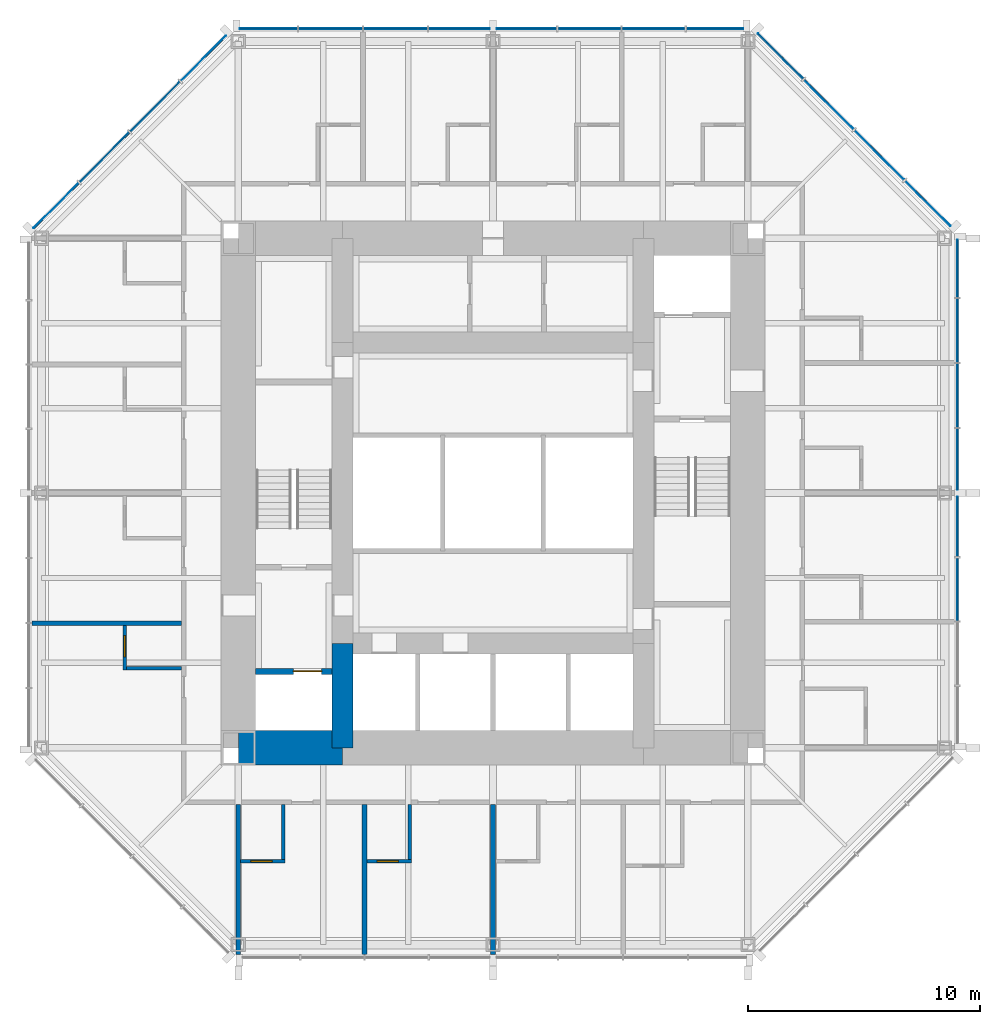
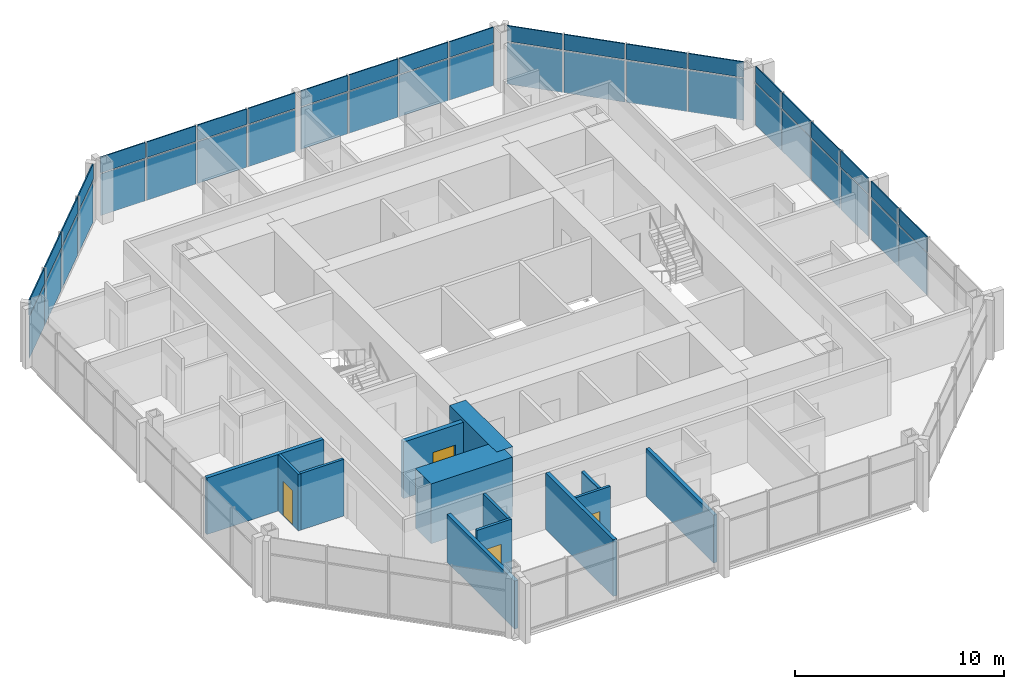
# One storey, part 7 of 12: 44 plates, 13 walls, 4 doors, 4 openings, 4 elements without a shape of their own.
"""IFC4 building model written with IfcOpenShell, lengths in metres."""

from ifc_helpers import new_model, si_unit, direction, frame, frame_2d, origin, origin_2d, place, context, subcontext, project, spatial, rectangle, extrude, material, layer, layer_set, type_object, element, fill, aggregate, save


model = new_model("IFC4")

# Units and contexts
model_context = context("Model", 3, precision=1e-05, world=origin(), true_north=direction((0.0, 1.0)))
body_context = subcontext(model_context, "Body", "Model", "MODEL_VIEW")
ifc_project = project(units=[si_unit("LENGTHUNIT", "METRE"), si_unit("AREAUNIT", "SQUARE_METRE"), si_unit("VOLUMEUNIT", "CUBIC_METRE"), si_unit("PLANEANGLEUNIT", "RADIAN"), si_unit("MASSUNIT", "GRAM", prefix="KILO")], contexts=[model_context])

# Site, building, storey
site_placement = place(None, origin())
site = spatial("IfcSite", under=ifc_project, at=site_placement, CompositionType="ELEMENT")
building_placement = place(site_placement, origin())
building = spatial("IfcBuilding", under=site, at=building_placement, Name="Trevanion Tower", CompositionType="ELEMENT")
storey_placement = place(building_placement, frame((0.0, 0.0, 190.699951171875)))
storey = spatial("IfcBuildingStorey", under=building, at=storey_placement, Name="L44", CompositionType="ELEMENT", Elevation=190.699951171875)

# Curtain wall, plates
ifc_material_1 = material(Name="Aluminium and glass", Category="aluminium")
curtain_wall_type = type_object("IfcCurtainWallType", Name="CW3 curtain wall", PredefinedType="USERDEFINED", material=ifc_material_1)
curtain_wall_1_placement = place(storey_placement, origin())
curtain_wall_1 = element("IfcCurtainWall", 1, at=curtain_wall_1_placement, inside=storey, type_object=curtain_wall_type, Name="CW3 L44 0", ObjectType="UNITISED CURTAIN WALL", PredefinedType="USERDEFINED")
ifc_material_2 = material(Name="Aluminium spandrel panel", Category="aluminium")
ifc_layer_1 = layer(ifc_material_2, 0.06005859375)
ifc_layer_set_1 = layer_set([ifc_layer_1], Name="CW3 spandrel panel")
plate_type_1 = type_object("IfcPlateType", Name="CW3 spandrel panel", PredefinedType="CURTAIN_PANEL", material=ifc_layer_set_1)
plate_1_placement = place(storey_placement, frame((20.050048828125, -4.16162109375, 2.3974609375), z_axis=(0.0, 0.0, 1.0), x_axis=(0.0, 1.0, 0.0)))
plate_1 = element("IfcPlate", 2, at=plate_1_placement, type_object=plate_type_1, Name="CW3 panel 3.2", PredefinedType="CURTAIN_PANEL", context=body_context, shape_type="SweptSolid", body=[
    extrude(rectangle(XDim=2.699462890625, YDim=0.06005859375, at=origin_2d()), origin(), (0.0, 0.0, 1.0), 0.91259765625),
])
plate_2_placement = place(storey_placement, frame((20.050048828125, -1.443603515625, 2.3974609375), z_axis=(0.0, 0.0, 1.0), x_axis=(0.0, 1.0, 0.0)))
plate_2 = element("IfcPlate", 3, at=plate_2_placement, type_object=plate_type_1, Name="CW3 panel 4.2", PredefinedType="CURTAIN_PANEL", context=body_context, shape_type="SweptSolid", body=[
    extrude(rectangle(XDim=2.5869140625, YDim=0.06005859375, at=origin_2d()), origin(), (0.0, 0.0, 1.0), 0.91259765625),
])
plate_3_placement = place(storey_placement, frame((20.050048828125, 1.459716796875, 2.3974609375), z_axis=(0.0, 0.0, 1.0), x_axis=(0.0, 1.0, 0.0)))
plate_3 = element("IfcPlate", 4, at=plate_3_placement, type_object=plate_type_1, Name="CW3 panel 5.2", PredefinedType="CURTAIN_PANEL", context=body_context, shape_type="SweptSolid", body=[
    extrude(rectangle(XDim=2.619384765625, YDim=0.06005859375, at=origin_2d()), origin(), (0.0, 0.0, 1.0), 0.91259765625),
])
plate_4_placement = place(storey_placement, frame((20.050048828125, 4.21044921875, 2.3974609375), z_axis=(0.0, 0.0, 1.0), x_axis=(0.0, 1.0, 0.0)))
plate_4 = element("IfcPlate", 5, at=plate_4_placement, type_object=plate_type_1, Name="CW3 panel 6.2", PredefinedType="CURTAIN_PANEL", context=body_context, shape_type="SweptSolid", body=[
    extrude(rectangle(XDim=2.73193359375, YDim=0.06005859375, at=origin_2d()), origin(), (0.0, 0.0, 1.0), 0.91259765625),
])
plate_5_placement = place(storey_placement, frame((20.050048828125, 7.017333984375, 2.3974609375), z_axis=(0.0, 0.0, 1.0), x_axis=(0.0, 1.0, 0.0)))
plate_5 = element("IfcPlate", 6, at=plate_5_placement, type_object=plate_type_1, Name="CW3 panel 7.2", PredefinedType="CURTAIN_PANEL", context=body_context, shape_type="SweptSolid", body=[
    extrude(rectangle(XDim=2.73193359375, YDim=0.06005859375, at=origin_2d()), origin(), (0.0, 0.0, 1.0), 0.91259765625),
])
plate_6_placement = place(storey_placement, frame((20.050048828125, 9.693115234375, 2.3974609375), z_axis=(0.0, 0.0, 1.0), x_axis=(0.0, 1.0, 0.0)))
plate_6 = element("IfcPlate", 7, at=plate_6_placement, type_object=plate_type_1, Name="CW3 panel 8.2", PredefinedType="CURTAIN_PANEL", context=body_context, shape_type="SweptSolid", body=[
    extrude(rectangle(XDim=2.469482421875, YDim=0.06005859375, at=origin_2d()), origin(), (0.0, 0.0, 1.0), 0.91259765625),
])

curtain_wall_2_placement = place(storey_placement, origin())
curtain_wall_2 = element("IfcCurtainWall", 8, at=curtain_wall_2_placement, inside=storey, type_object=curtain_wall_type, Name="CW3 L44 1", ObjectType="UNITISED CURTAIN WALL", PredefinedType="USERDEFINED")
plate_7_placement = place(storey_placement, frame((18.77392578125, 12.50390625, 2.3974609375), z_axis=(0.0, 0.0, 1.0), x_axis=(-0.707106781187, 0.707106781187, 0.0)))
plate_7 = element("IfcPlate", 9, at=plate_7_placement, type_object=plate_type_1, Name="CW3 panel 1.2", PredefinedType="CURTAIN_PANEL", context=body_context, shape_type="SweptSolid", body=[
    extrude(rectangle(XDim=2.7490234375, YDim=0.06005859375, at=origin_2d()), origin(), (0.0, 0.0, 1.0), 0.91259765625),
])
plate_8_placement = place(storey_placement, frame((16.68408203125, 14.593505859375, 2.3974609375), z_axis=(0.0, 0.0, 1.0), x_axis=(-0.707106781187, 0.707106781187, 0.0)))
plate_8 = element("IfcPlate", 10, at=plate_8_placement, type_object=plate_type_1, Name="CW3 panel 2.2", PredefinedType="CURTAIN_PANEL", context=body_context, shape_type="SweptSolid", body=[
    extrude(rectangle(XDim=3.01171875, YDim=0.06005859375, at=origin_2d()), origin(), (0.0, 0.0, 1.0), 0.91259765625),
])
plate_9_placement = place(storey_placement, frame((14.501708984375, 16.776123046875, 2.3974609375), z_axis=(0.0, 0.0, 1.0), x_axis=(-0.707106781187, 0.707106781187, 0.0)))
plate_9 = element("IfcPlate", 11, at=plate_9_placement, type_object=plate_type_1, Name="CW3 panel 3.2", PredefinedType="CURTAIN_PANEL", context=body_context, shape_type="SweptSolid", body=[
    extrude(rectangle(XDim=3.01171875, YDim=0.06005859375, at=origin_2d()), origin(), (0.0, 0.0, 1.0), 0.91259765625),
])
plate_10_placement = place(storey_placement, frame((12.411865234375, 18.865966796875, 2.3974609375), z_axis=(0.0, 0.0, 1.0), x_axis=(-0.707106781187, 0.707106781187, 0.0)))
plate_10 = element("IfcPlate", 12, at=plate_10_placement, type_object=plate_type_1, Name="CW3 panel 4.2", PredefinedType="CURTAIN_PANEL", context=body_context, shape_type="SweptSolid", body=[
    extrude(rectangle(XDim=2.7490234375, YDim=0.06005859375, at=origin_2d()), origin(), (0.0, 0.0, 1.0), 0.91259765625),
])

curtain_wall_3_placement = place(storey_placement, origin())
curtain_wall_3 = element("IfcCurtainWall", 13, at=curtain_wall_3_placement, inside=storey, type_object=curtain_wall_type, Name="CW3 L44 2", ObjectType="UNITISED CURTAIN WALL", PredefinedType="USERDEFINED")
plate_11_placement = place(storey_placement, frame((9.579345703125, 20.050048828125, 2.3974609375), z_axis=(0.0, 0.0, 1.0), x_axis=(-1.0, 0.0, 0.0)))
plate_11 = element("IfcPlate", 14, at=plate_11_placement, type_object=plate_type_1, Name="CW3 panel 1.2", PredefinedType="CURTAIN_PANEL", context=body_context, shape_type="SweptSolid", body=[
    extrude(rectangle(XDim=2.43701171875, YDim=0.06005859375, at=origin_2d()), origin(), (0.0, 0.0, 1.0), 0.91259765625),
])
plate_12_placement = place(storey_placement, frame((6.93603515625, 20.050048828125, 2.3974609375), z_axis=(0.0, 0.0, 1.0), x_axis=(-1.0, 0.0, 0.0)))
plate_12 = element("IfcPlate", 15, at=plate_12_placement, type_object=plate_type_1, Name="CW3 panel 2.2", PredefinedType="CURTAIN_PANEL", context=body_context, shape_type="SweptSolid", body=[
    extrude(rectangle(XDim=2.699462890625, YDim=0.06005859375, at=origin_2d()), origin(), (0.0, 0.0, 1.0), 0.91259765625),
])
plate_13_placement = place(storey_placement, frame((4.16162109375, 20.050048828125, 2.3974609375), z_axis=(0.0, 0.0, 1.0), x_axis=(-1.0, 0.0, 0.0)))
plate_13 = element("IfcPlate", 16, at=plate_13_placement, type_object=plate_type_1, Name="CW3 panel 3.2", PredefinedType="CURTAIN_PANEL", context=body_context, shape_type="SweptSolid", body=[
    extrude(rectangle(XDim=2.699462890625, YDim=0.06005859375, at=origin_2d()), origin(), (0.0, 0.0, 1.0), 0.91259765625),
])
plate_14_placement = place(storey_placement, frame((1.443603515625, 20.050048828125, 2.3974609375), z_axis=(0.0, 0.0, 1.0), x_axis=(-1.0, 0.0, 0.0)))
plate_14 = element("IfcPlate", 17, at=plate_14_placement, type_object=plate_type_1, Name="CW3 panel 4.2", PredefinedType="CURTAIN_PANEL", context=body_context, shape_type="SweptSolid", body=[
    extrude(rectangle(XDim=2.5869140625, YDim=0.06005859375, at=origin_2d()), origin(), (0.0, 0.0, 1.0), 0.91259765625),
])
plate_15_placement = place(storey_placement, frame((-1.459716796875, 20.050048828125, 2.3974609375), z_axis=(0.0, 0.0, 1.0), x_axis=(-1.0, 0.0, 0.0)))
plate_15 = element("IfcPlate", 18, at=plate_15_placement, type_object=plate_type_1, Name="CW3 panel 5.2", PredefinedType="CURTAIN_PANEL", context=body_context, shape_type="SweptSolid", body=[
    extrude(rectangle(XDim=2.619384765625, YDim=0.06005859375, at=origin_2d()), origin(), (0.0, 0.0, 1.0), 0.91259765625),
])
plate_16_placement = place(storey_placement, frame((-4.21044921875, 20.050048828125, 2.3974609375), z_axis=(0.0, 0.0, 1.0), x_axis=(-1.0, 0.0, 0.0)))
plate_16 = element("IfcPlate", 19, at=plate_16_placement, type_object=plate_type_1, Name="CW3 panel 6.2", PredefinedType="CURTAIN_PANEL", context=body_context, shape_type="SweptSolid", body=[
    extrude(rectangle(XDim=2.73193359375, YDim=0.06005859375, at=origin_2d()), origin(), (0.0, 0.0, 1.0), 0.91259765625),
])
plate_17_placement = place(storey_placement, frame((-7.017333984375, 20.050048828125, 2.3974609375), z_axis=(0.0, 0.0, 1.0), x_axis=(-1.0, 0.0, 0.0)))
plate_17 = element("IfcPlate", 20, at=plate_17_placement, type_object=plate_type_1, Name="CW3 panel 7.2", PredefinedType="CURTAIN_PANEL", context=body_context, shape_type="SweptSolid", body=[
    extrude(rectangle(XDim=2.73193359375, YDim=0.06005859375, at=origin_2d()), origin(), (0.0, 0.0, 1.0), 0.91259765625),
])
plate_18_placement = place(storey_placement, frame((-9.693115234375, 20.050048828125, 2.3974609375), z_axis=(0.0, 0.0, 1.0), x_axis=(-1.0, 0.0, 0.0)))
plate_18 = element("IfcPlate", 21, at=plate_18_placement, type_object=plate_type_1, Name="CW3 panel 8.2", PredefinedType="CURTAIN_PANEL", context=body_context, shape_type="SweptSolid", body=[
    extrude(rectangle(XDim=2.469482421875, YDim=0.06005859375, at=origin_2d()), origin(), (0.0, 0.0, 1.0), 0.91259765625),
])

curtain_wall_4_placement = place(storey_placement, origin())
curtain_wall_4 = element("IfcCurtainWall", 22, at=curtain_wall_4_placement, inside=storey, type_object=curtain_wall_type, Name="CW3 L44 3", ObjectType="UNITISED CURTAIN WALL", PredefinedType="USERDEFINED")
plate_19_placement = place(storey_placement, frame((-12.50390625, 18.77392578125, 2.3974609375), z_axis=(0.0, 0.0, 1.0), x_axis=(-0.707106781187, -0.707106781187, 0.0)))
plate_19 = element("IfcPlate", 23, at=plate_19_placement, type_object=plate_type_1, Name="CW3 panel 1.2", PredefinedType="CURTAIN_PANEL", context=body_context, shape_type="SweptSolid", body=[
    extrude(rectangle(XDim=2.7490234375, YDim=0.06005859375, at=origin_2d()), origin(), (0.0, 0.0, 1.0), 0.91259765625),
])
plate_20_placement = place(storey_placement, frame((-14.593505859375, 16.68408203125, 2.3974609375), z_axis=(0.0, 0.0, 1.0), x_axis=(-0.707106781187, -0.707106781187, 0.0)))
plate_20 = element("IfcPlate", 24, at=plate_20_placement, type_object=plate_type_1, Name="CW3 panel 2.2", PredefinedType="CURTAIN_PANEL", context=body_context, shape_type="SweptSolid", body=[
    extrude(rectangle(XDim=3.01171875, YDim=0.06005859375, at=origin_2d()), origin(), (0.0, 0.0, 1.0), 0.91259765625),
])
plate_21_placement = place(storey_placement, frame((-16.776123046875, 14.501708984375, 2.3974609375), z_axis=(0.0, 0.0, 1.0), x_axis=(-0.707106781187, -0.707106781187, 0.0)))
plate_21 = element("IfcPlate", 25, at=plate_21_placement, type_object=plate_type_1, Name="CW3 panel 3.2", PredefinedType="CURTAIN_PANEL", context=body_context, shape_type="SweptSolid", body=[
    extrude(rectangle(XDim=3.01171875, YDim=0.06005859375, at=origin_2d()), origin(), (0.0, 0.0, 1.0), 0.91259765625),
])
plate_22_placement = place(storey_placement, frame((-18.865966796875, 12.411865234375, 2.3974609375), z_axis=(0.0, 0.0, 1.0), x_axis=(-0.707106781187, -0.707106781187, 0.0)))
plate_22 = element("IfcPlate", 26, at=plate_22_placement, type_object=plate_type_1, Name="CW3 panel 4.2", PredefinedType="CURTAIN_PANEL", context=body_context, shape_type="SweptSolid", body=[
    extrude(rectangle(XDim=2.7490234375, YDim=0.06005859375, at=origin_2d()), origin(), (0.0, 0.0, 1.0), 0.91259765625),
])

# Plate
ifc_material_3 = material(Name="Insulating glass unit", Category="glass")
ifc_layer_2 = layer(ifc_material_3, 0.028076171875)
ifc_layer_set_2 = layer_set([ifc_layer_2], Name="CW3 vision panel")
plate_type_2 = type_object("IfcPlateType", Name="CW3 vision panel", PredefinedType="CURTAIN_PANEL", material=ifc_layer_set_2)
plate_23_placement = place(storey_placement, frame((20.050048828125, -4.16162109375, -0.114990234375), z_axis=(0.0, 0.0, 1.0), x_axis=(0.0, 1.0, 0.0)))
plate_23 = element("IfcPlate", 27, at=plate_23_placement, type_object=plate_type_2, Name="CW3 panel 3.1", PredefinedType="CURTAIN_PANEL", context=body_context, shape_type="SweptSolid", body=[
    extrude(rectangle(XDim=2.699462890625, YDim=0.028076171875, at=origin_2d()), origin(), (0.0, 0.0, 1.0), 2.4375),
])

plate_24_placement = place(storey_placement, frame((20.050048828125, -1.443603515625, -0.114990234375), z_axis=(0.0, 0.0, 1.0), x_axis=(0.0, 1.0, 0.0)))
plate_24 = element("IfcPlate", 28, at=plate_24_placement, type_object=plate_type_2, Name="CW3 panel 4.1", PredefinedType="CURTAIN_PANEL", context=body_context, shape_type="SweptSolid", body=[
    extrude(rectangle(XDim=2.5869140625, YDim=0.028076171875, at=origin_2d()), origin(), (0.0, 0.0, 1.0), 2.4375),
])

plate_25_placement = place(storey_placement, frame((20.050048828125, 1.459716796875, -0.114990234375), z_axis=(0.0, 0.0, 1.0), x_axis=(0.0, 1.0, 0.0)))
plate_25 = element("IfcPlate", 29, at=plate_25_placement, type_object=plate_type_2, Name="CW3 panel 5.1", PredefinedType="CURTAIN_PANEL", context=body_context, shape_type="SweptSolid", body=[
    extrude(rectangle(XDim=2.619384765625, YDim=0.028076171875, at=origin_2d()), origin(), (0.0, 0.0, 1.0), 2.4375),
])

plate_26_placement = place(storey_placement, frame((20.050048828125, 4.21044921875, -0.114990234375), z_axis=(0.0, 0.0, 1.0), x_axis=(0.0, 1.0, 0.0)))
plate_26 = element("IfcPlate", 30, at=plate_26_placement, type_object=plate_type_2, Name="CW3 panel 6.1", PredefinedType="CURTAIN_PANEL", context=body_context, shape_type="SweptSolid", body=[
    extrude(rectangle(XDim=2.73193359375, YDim=0.028076171875, at=origin_2d()), origin(), (0.0, 0.0, 1.0), 2.4375),
])

plate_27_placement = place(storey_placement, frame((20.050048828125, 7.017333984375, -0.114990234375), z_axis=(0.0, 0.0, 1.0), x_axis=(0.0, 1.0, 0.0)))
plate_27 = element("IfcPlate", 31, at=plate_27_placement, type_object=plate_type_2, Name="CW3 panel 7.1", PredefinedType="CURTAIN_PANEL", context=body_context, shape_type="SweptSolid", body=[
    extrude(rectangle(XDim=2.73193359375, YDim=0.028076171875, at=origin_2d()), origin(), (0.0, 0.0, 1.0), 2.4375),
])

plate_28_placement = place(storey_placement, frame((20.050048828125, 9.693115234375, -0.114990234375), z_axis=(0.0, 0.0, 1.0), x_axis=(0.0, 1.0, 0.0)))
plate_28 = element("IfcPlate", 32, at=plate_28_placement, type_object=plate_type_2, Name="CW3 panel 8.1", PredefinedType="CURTAIN_PANEL", context=body_context, shape_type="SweptSolid", body=[
    extrude(rectangle(XDim=2.469482421875, YDim=0.028076171875, at=origin_2d()), origin(), (0.0, 0.0, 1.0), 2.4375),
])

aggregate(curtain_wall_1, [plate_23, plate_1, plate_24, plate_2, plate_25, plate_3, plate_26, plate_4, plate_27, plate_5, plate_28, plate_6])

plate_29_placement = place(storey_placement, frame((18.77392578125, 12.50390625, -0.114990234375), z_axis=(0.0, 0.0, 1.0), x_axis=(-0.707106781187, 0.707106781187, 0.0)))
plate_29 = element("IfcPlate", 33, at=plate_29_placement, type_object=plate_type_2, Name="CW3 panel 1.1", PredefinedType="CURTAIN_PANEL", context=body_context, shape_type="SweptSolid", body=[
    extrude(rectangle(XDim=2.7490234375, YDim=0.028076171875, at=origin_2d()), origin(), (0.0, 0.0, 1.0), 2.4375),
])

plate_30_placement = place(storey_placement, frame((16.68408203125, 14.593505859375, -0.114990234375), z_axis=(0.0, 0.0, 1.0), x_axis=(-0.707106781187, 0.707106781187, 0.0)))
plate_30 = element("IfcPlate", 34, at=plate_30_placement, type_object=plate_type_2, Name="CW3 panel 2.1", PredefinedType="CURTAIN_PANEL", context=body_context, shape_type="SweptSolid", body=[
    extrude(rectangle(XDim=3.01171875, YDim=0.028076171875, at=origin_2d()), origin(), (0.0, 0.0, 1.0), 2.4375),
])

plate_31_placement = place(storey_placement, frame((14.501708984375, 16.776123046875, -0.114990234375), z_axis=(0.0, 0.0, 1.0), x_axis=(-0.707106781187, 0.707106781187, 0.0)))
plate_31 = element("IfcPlate", 35, at=plate_31_placement, type_object=plate_type_2, Name="CW3 panel 3.1", PredefinedType="CURTAIN_PANEL", context=body_context, shape_type="SweptSolid", body=[
    extrude(rectangle(XDim=3.01171875, YDim=0.028076171875, at=origin_2d()), origin(), (0.0, 0.0, 1.0), 2.4375),
])

plate_32_placement = place(storey_placement, frame((12.411865234375, 18.865966796875, -0.114990234375), z_axis=(0.0, 0.0, 1.0), x_axis=(-0.707106781187, 0.707106781187, 0.0)))
plate_32 = element("IfcPlate", 36, at=plate_32_placement, type_object=plate_type_2, Name="CW3 panel 4.1", PredefinedType="CURTAIN_PANEL", context=body_context, shape_type="SweptSolid", body=[
    extrude(rectangle(XDim=2.7490234375, YDim=0.028076171875, at=origin_2d()), origin(), (0.0, 0.0, 1.0), 2.4375),
])

aggregate(curtain_wall_2, [plate_29, plate_7, plate_30, plate_8, plate_31, plate_9, plate_32, plate_10])

plate_33_placement = place(storey_placement, frame((9.579345703125, 20.050048828125, -0.114990234375), z_axis=(0.0, 0.0, 1.0), x_axis=(-1.0, 0.0, 0.0)))
plate_33 = element("IfcPlate", 37, at=plate_33_placement, type_object=plate_type_2, Name="CW3 panel 1.1", PredefinedType="CURTAIN_PANEL", context=body_context, shape_type="SweptSolid", body=[
    extrude(rectangle(XDim=2.43701171875, YDim=0.028076171875, at=origin_2d()), origin(), (0.0, 0.0, 1.0), 2.4375),
])

plate_34_placement = place(storey_placement, frame((6.93603515625, 20.050048828125, -0.114990234375), z_axis=(0.0, 0.0, 1.0), x_axis=(-1.0, 0.0, 0.0)))
plate_34 = element("IfcPlate", 38, at=plate_34_placement, type_object=plate_type_2, Name="CW3 panel 2.1", PredefinedType="CURTAIN_PANEL", context=body_context, shape_type="SweptSolid", body=[
    extrude(rectangle(XDim=2.699462890625, YDim=0.028076171875, at=origin_2d()), origin(), (0.0, 0.0, 1.0), 2.4375),
])

plate_35_placement = place(storey_placement, frame((4.16162109375, 20.050048828125, -0.114990234375), z_axis=(0.0, 0.0, 1.0), x_axis=(-1.0, 0.0, 0.0)))
plate_35 = element("IfcPlate", 39, at=plate_35_placement, type_object=plate_type_2, Name="CW3 panel 3.1", PredefinedType="CURTAIN_PANEL", context=body_context, shape_type="SweptSolid", body=[
    extrude(rectangle(XDim=2.699462890625, YDim=0.028076171875, at=origin_2d()), origin(), (0.0, 0.0, 1.0), 2.4375),
])

plate_36_placement = place(storey_placement, frame((1.443603515625, 20.050048828125, -0.114990234375), z_axis=(0.0, 0.0, 1.0), x_axis=(-1.0, 0.0, 0.0)))
plate_36 = element("IfcPlate", 40, at=plate_36_placement, type_object=plate_type_2, Name="CW3 panel 4.1", PredefinedType="CURTAIN_PANEL", context=body_context, shape_type="SweptSolid", body=[
    extrude(rectangle(XDim=2.5869140625, YDim=0.028076171875, at=origin_2d()), origin(), (0.0, 0.0, 1.0), 2.4375),
])

plate_37_placement = place(storey_placement, frame((-1.459716796875, 20.050048828125, -0.114990234375), z_axis=(0.0, 0.0, 1.0), x_axis=(-1.0, 0.0, 0.0)))
plate_37 = element("IfcPlate", 41, at=plate_37_placement, type_object=plate_type_2, Name="CW3 panel 5.1", PredefinedType="CURTAIN_PANEL", context=body_context, shape_type="SweptSolid", body=[
    extrude(rectangle(XDim=2.619384765625, YDim=0.028076171875, at=origin_2d()), origin(), (0.0, 0.0, 1.0), 2.4375),
])

plate_38_placement = place(storey_placement, frame((-4.21044921875, 20.050048828125, -0.114990234375), z_axis=(0.0, 0.0, 1.0), x_axis=(-1.0, 0.0, 0.0)))
plate_38 = element("IfcPlate", 42, at=plate_38_placement, type_object=plate_type_2, Name="CW3 panel 6.1", PredefinedType="CURTAIN_PANEL", context=body_context, shape_type="SweptSolid", body=[
    extrude(rectangle(XDim=2.73193359375, YDim=0.028076171875, at=origin_2d()), origin(), (0.0, 0.0, 1.0), 2.4375),
])

plate_39_placement = place(storey_placement, frame((-7.017333984375, 20.050048828125, -0.114990234375), z_axis=(0.0, 0.0, 1.0), x_axis=(-1.0, 0.0, 0.0)))
plate_39 = element("IfcPlate", 43, at=plate_39_placement, type_object=plate_type_2, Name="CW3 panel 7.1", PredefinedType="CURTAIN_PANEL", context=body_context, shape_type="SweptSolid", body=[
    extrude(rectangle(XDim=2.73193359375, YDim=0.028076171875, at=origin_2d()), origin(), (0.0, 0.0, 1.0), 2.4375),
])

plate_40_placement = place(storey_placement, frame((-9.693115234375, 20.050048828125, -0.114990234375), z_axis=(0.0, 0.0, 1.0), x_axis=(-1.0, 0.0, 0.0)))
plate_40 = element("IfcPlate", 44, at=plate_40_placement, type_object=plate_type_2, Name="CW3 panel 8.1", PredefinedType="CURTAIN_PANEL", context=body_context, shape_type="SweptSolid", body=[
    extrude(rectangle(XDim=2.469482421875, YDim=0.028076171875, at=origin_2d()), origin(), (0.0, 0.0, 1.0), 2.4375),
])

aggregate(curtain_wall_3, [plate_33, plate_11, plate_34, plate_12, plate_35, plate_13, plate_36, plate_14, plate_37, plate_15, plate_38, plate_16, plate_39, plate_17, plate_40, plate_18])

plate_41_placement = place(storey_placement, frame((-12.50390625, 18.77392578125, -0.114990234375), z_axis=(0.0, 0.0, 1.0), x_axis=(-0.707106781187, -0.707106781187, 0.0)))
plate_41 = element("IfcPlate", 45, at=plate_41_placement, type_object=plate_type_2, Name="CW3 panel 1.1", PredefinedType="CURTAIN_PANEL", context=body_context, shape_type="SweptSolid", body=[
    extrude(rectangle(XDim=2.7490234375, YDim=0.028076171875, at=origin_2d()), origin(), (0.0, 0.0, 1.0), 2.4375),
])

plate_42_placement = place(storey_placement, frame((-14.593505859375, 16.68408203125, -0.114990234375), z_axis=(0.0, 0.0, 1.0), x_axis=(-0.707106781187, -0.707106781187, 0.0)))
plate_42 = element("IfcPlate", 46, at=plate_42_placement, type_object=plate_type_2, Name="CW3 panel 2.1", PredefinedType="CURTAIN_PANEL", context=body_context, shape_type="SweptSolid", body=[
    extrude(rectangle(XDim=3.01171875, YDim=0.028076171875, at=origin_2d()), origin(), (0.0, 0.0, 1.0), 2.4375),
])

plate_43_placement = place(storey_placement, frame((-16.776123046875, 14.501708984375, -0.114990234375), z_axis=(0.0, 0.0, 1.0), x_axis=(-0.707106781187, -0.707106781187, 0.0)))
plate_43 = element("IfcPlate", 47, at=plate_43_placement, type_object=plate_type_2, Name="CW3 panel 3.1", PredefinedType="CURTAIN_PANEL", context=body_context, shape_type="SweptSolid", body=[
    extrude(rectangle(XDim=3.01171875, YDim=0.028076171875, at=origin_2d()), origin(), (0.0, 0.0, 1.0), 2.4375),
])

plate_44_placement = place(storey_placement, frame((-18.865966796875, 12.411865234375, -0.114990234375), z_axis=(0.0, 0.0, 1.0), x_axis=(-0.707106781187, -0.707106781187, 0.0)))
plate_44 = element("IfcPlate", 48, at=plate_44_placement, type_object=plate_type_2, Name="CW3 panel 4.1", PredefinedType="CURTAIN_PANEL", context=body_context, shape_type="SweptSolid", body=[
    extrude(rectangle(XDim=2.7490234375, YDim=0.028076171875, at=origin_2d()), origin(), (0.0, 0.0, 1.0), 2.4375),
])

aggregate(curtain_wall_4, [plate_41, plate_19, plate_42, plate_20, plate_43, plate_21, plate_44, plate_22])

# Walls
ifc_material_4 = material(Name="Concrete 10,000 psi", Category="concrete")
ifc_layer_3 = layer(ifc_material_4, 1.5)
ifc_layer_set_3 = layer_set([ifc_layer_3], Name="CW1 core wall 1500")
wall_type_1 = type_object("IfcWallType", Name="CW1 core wall 1500", PredefinedType="SHEAR", material=ifc_layer_set_3)
wall_1_placement = place(storey_placement, frame((-11.0, -11.0, 0.0), z_axis=(0.0, 0.0, 1.0), x_axis=(1.0, 0.0, 0.0)))
element("IfcWall", 49, at=wall_1_placement, inside=storey, type_object=wall_type_1, Name="CW1 CS1 L44", PredefinedType="SHEAR", context=body_context, shape_type="SweptSolid", body=[
    extrude(rectangle(XDim=4.5, YDim=1.5, at=frame_2d((2.25, 0.0))), origin(), (0.0, 0.0, 1.0), 3.5),
])
ifc_material_5 = material(Name="Concrete 10,000 psi", Category="concrete")
ifc_layer_4 = layer(ifc_material_5, 0.89990234375)
ifc_layer_set_4 = layer_set([ifc_layer_4], Name="CW2 core wall 900")
wall_type_2 = type_object("IfcWallType", Name="CW2 core wall 900", PredefinedType="SHEAR", material=ifc_layer_set_4)
wall_2_placement = place(storey_placement, frame((-6.5, -6.5, 0.0), z_axis=(0.0, 0.0, 1.0), x_axis=(0.0, -1.0, 0.0)))
element("IfcWall", 50, at=wall_2_placement, inside=storey, type_object=wall_type_2, Name="CW2 RW3 L44", PredefinedType="SHEAR", context=body_context, shape_type="SweptSolid", body=[
    extrude(rectangle(XDim=4.5, YDim=0.89990234375, at=frame_2d((2.25, 0.0))), origin(), (0.0, 0.0, 1.0), 3.5),
])

# Wall, opening, door
ifc_material_6 = material(Name="Gypsum board on steel studs", Category="steel")
ifc_layer_5 = layer(ifc_material_6, 0.14990234375)
ifc_layer_set_5 = layer_set([ifc_layer_5], Name="PT1 partition 150")
wall_type_3 = type_object("IfcWallType", Name="PT1 partition 150", PredefinedType="PARTITIONING", material=ifc_layer_set_5)
wall_3_placement = place(storey_placement, frame((-15.89990234375, -5.714111328125, 0.0), z_axis=(0.0, 0.0, 1.0), x_axis=(0.0, -1.0, 0.0)))
wall_3 = element("IfcWall", 51, at=wall_3_placement, inside=storey, type_object=wall_type_3, Name="PT1 L44 BA23", PredefinedType="PARTITIONING", context=body_context, shape_type="SweptSolid", body=[
    extrude(rectangle(XDim=1.9248046875, YDim=0.14990234375, at=frame_2d((0.96240234375, 0.0))), origin(), (0.0, 0.0, 1.0), 3.31005859375),
])
opening_1_placement = place(wall_3_placement, frame((0.4423828125, 0.0, 0.0)))
opening_1 = element("IfcOpeningElement", 52, at=opening_1_placement, cuts=wall_3, Name="Opening 44-038", PredefinedType="OPENING", context=body_context, shape_type="SweptSolid", body=[
    extrude(rectangle(XDim=0.9150390625, YDim=2.031982421875, at=frame_2d((0.45751953125, 1.01611328125))), frame((0.0, 0.0849609375, 0.0), z_axis=(0.0, -1.0, 0.0), x_axis=(1.0, 0.0, 0.0)), (0.0, 0.0, 1.0), 0.169921875),
])
ifc_material_7 = material(Name="Timber veneer", Category="wood")
door_type_1 = type_object("IfcDoorType", Name="D7 bathroom door", OperationType="SINGLE_SWING_LEFT", PredefinedType="DOOR", material=ifc_material_7)
door_1_placement = place(opening_1_placement, origin())
door_1 = element("IfcDoor", 53, at=door_1_placement, inside=storey, type_object=door_type_1, Name="Door 44-038", OperationType="SINGLE_SWING_LEFT", OverallHeight=2.031982421875, OverallWidth=0.9150390625, PredefinedType="DOOR", context=body_context, shape_type="SweptSolid", body=[
    extrude(rectangle(XDim=0.9150390625, YDim=2.031982421875, at=frame_2d((0.45751953125, 1.01611328125))), frame((0.0, 0.02490234375, 0.0), z_axis=(0.0, -1.0, 0.0), x_axis=(1.0, 0.0, 0.0)), (0.0, 0.0, 1.0), 0.050048828125),
])
fill(opening_1, door_1)

# Wall
wall_4_placement = place(storey_placement, frame((-13.449951171875, -7.56396484375, 0.0), z_axis=(0.0, 0.0, 1.0), x_axis=(-1.0, 0.0, 0.0)))
element("IfcWall", 54, at=wall_4_placement, inside=storey, type_object=wall_type_3, Name="PT1 L44 BB23", PredefinedType="PARTITIONING", context=body_context, shape_type="SweptSolid", body=[
    extrude(rectangle(XDim=2.375, YDim=0.14990234375, at=frame_2d((1.1875, 0.0))), origin(), (0.0, 0.0, 1.0), 3.31005859375),
])

# Wall, opening, door
wall_5_placement = place(storey_placement, frame((-10.89990234375, -15.89990234375, 0.0), z_axis=(0.0, 0.0, 1.0), x_axis=(1.0, 0.0, 0.0)))
wall_5 = element("IfcWall", 55, at=wall_5_placement, inside=storey, type_object=wall_type_3, Name="PT1 L44 BA30", PredefinedType="PARTITIONING", context=body_context, shape_type="SweptSolid", body=[
    extrude(rectangle(XDim=1.9248046875, YDim=0.14990234375, at=frame_2d((0.96240234375, 0.0))), origin(), (0.0, 0.0, 1.0), 3.31005859375),
])
opening_2_placement = place(wall_5_placement, frame((0.4423828125, 0.0, 0.0)))
opening_2 = element("IfcOpeningElement", 56, at=opening_2_placement, cuts=wall_5, Name="Opening 44-040", PredefinedType="OPENING", context=body_context, shape_type="SweptSolid", body=[
    extrude(rectangle(XDim=0.9150390625, YDim=2.031982421875, at=frame_2d((0.45751953125, 1.01611328125))), frame((0.0, 0.0849609375, 0.0), z_axis=(0.0, -1.0, 0.0), x_axis=(1.0, 0.0, 0.0)), (0.0, 0.0, 1.0), 0.169921875),
])
door_2_placement = place(opening_2_placement, origin())
door_2 = element("IfcDoor", 57, at=door_2_placement, inside=storey, type_object=door_type_1, Name="Door 44-040", OperationType="SINGLE_SWING_LEFT", OverallHeight=2.031982421875, OverallWidth=0.9150390625, PredefinedType="DOOR", context=body_context, shape_type="SweptSolid", body=[
    extrude(rectangle(XDim=0.9150390625, YDim=2.031982421875, at=frame_2d((0.45751953125, 1.01611328125))), frame((0.0, 0.02490234375, 0.0), z_axis=(0.0, -1.0, 0.0), x_axis=(1.0, 0.0, 0.0)), (0.0, 0.0, 1.0), 0.050048828125),
])
fill(opening_2, door_2)

# Wall
wall_6_placement = place(storey_placement, frame((-9.050048828125, -13.449951171875, 0.0), z_axis=(0.0, 0.0, 1.0), x_axis=(0.0, -1.0, 0.0)))
element("IfcWall", 58, at=wall_6_placement, inside=storey, type_object=wall_type_3, Name="PT1 L44 BB30", PredefinedType="PARTITIONING", context=body_context, shape_type="SweptSolid", body=[
    extrude(rectangle(XDim=2.375, YDim=0.14990234375, at=frame_2d((1.1875, 0.0))), origin(), (0.0, 0.0, 1.0), 3.31005859375),
])

# Wall, opening, door
wall_7_placement = place(storey_placement, frame((-5.448974609375, -15.89990234375, 0.0), z_axis=(0.0, 0.0, 1.0), x_axis=(1.0, 0.0, 0.0)))
wall_7 = element("IfcWall", 59, at=wall_7_placement, inside=storey, type_object=wall_type_3, Name="PT1 L44 BA31", PredefinedType="PARTITIONING", context=body_context, shape_type="SweptSolid", body=[
    extrude(rectangle(XDim=1.925048828125, YDim=0.14990234375, at=frame_2d((0.96240234375, 0.0))), origin(), (0.0, 0.0, 1.0), 3.31005859375),
])
opening_3_placement = place(wall_7_placement, frame((0.4423828125, 0.0, 0.0)))
opening_3 = element("IfcOpeningElement", 60, at=opening_3_placement, cuts=wall_7, Name="Opening 44-042", PredefinedType="OPENING", context=body_context, shape_type="SweptSolid", body=[
    extrude(rectangle(XDim=0.9150390625, YDim=2.031982421875, at=frame_2d((0.45751953125, 1.01611328125))), frame((0.0, 0.0849609375, 0.0), z_axis=(0.0, -1.0, 0.0), x_axis=(1.0, 0.0, 0.0)), (0.0, 0.0, 1.0), 0.169921875),
])
door_3_placement = place(opening_3_placement, origin())
door_3 = element("IfcDoor", 61, at=door_3_placement, inside=storey, type_object=door_type_1, Name="Door 44-042", OperationType="SINGLE_SWING_LEFT", OverallHeight=2.031982421875, OverallWidth=0.9150390625, PredefinedType="DOOR", context=body_context, shape_type="SweptSolid", body=[
    extrude(rectangle(XDim=0.9150390625, YDim=2.031982421875, at=frame_2d((0.45751953125, 1.01611328125))), frame((0.0, 0.02490234375, 0.0), z_axis=(0.0, -1.0, 0.0), x_axis=(1.0, 0.0, 0.0)), (0.0, 0.0, 1.0), 0.050048828125),
])
fill(opening_3, door_3)

# Walls
wall_8_placement = place(storey_placement, frame((-3.59912109375, -13.449951171875, 0.0), z_axis=(0.0, 0.0, 1.0), x_axis=(0.0, -1.0, 0.0)))
element("IfcWall", 62, at=wall_8_placement, inside=storey, type_object=wall_type_3, Name="PT1 L44 BB31", PredefinedType="PARTITIONING", context=body_context, shape_type="SweptSolid", body=[
    extrude(rectangle(XDim=2.375, YDim=0.14990234375, at=frame_2d((1.1875, 0.0))), origin(), (0.0, 0.0, 1.0), 2.703125),
])
ifc_material_8 = material(Name="Concrete masonry, grouted", Category="masonry")
ifc_layer_6 = layer(ifc_material_8, 0.199951171875)
ifc_layer_set_6 = layer_set([ifc_layer_6], Name="PT2 partition 200 1 HR")
wall_type_4 = type_object("IfcWallType", Name="PT2 partition 200 1 HR", PredefinedType="PARTITIONING", material=ifc_layer_set_6)
wall_9_placement = place(storey_placement, frame((-13.449951171875, -5.614013671875, 0.0), z_axis=(0.0, 0.0, 1.0), x_axis=(-1.0, 0.0, 0.0)))
element("IfcWall", 63, at=wall_9_placement, inside=storey, type_object=wall_type_4, Name="PT2 L44 HD23", PredefinedType="PARTITIONING", context=body_context, shape_type="SweptSolid", body=[
    extrude(rectangle(XDim=6.465087890625, YDim=0.199951171875, at=frame_2d((3.232421875, 0.0))), origin(), (0.0, 0.0, 1.0), 3.31005859375),
])
wall_10_placement = place(storey_placement, frame((-11.0, -13.449951171875, 0.0), z_axis=(0.0, 0.0, 1.0), x_axis=(0.0, -1.0, 0.0)))
element("IfcWall", 64, at=wall_10_placement, inside=storey, type_object=wall_type_4, Name="PT2 L44 HD30", PredefinedType="PARTITIONING", context=body_context, shape_type="SweptSolid", body=[
    extrude(rectangle(XDim=6.465087890625, YDim=0.199951171875, at=frame_2d((3.232421875, 0.0))), origin(), (0.0, 0.0, 1.0), 2.802001953125),
])
wall_11_placement = place(storey_placement, frame((-5.549072265625, -13.449951171875, 0.0), z_axis=(0.0, 0.0, 1.0), x_axis=(0.0, -1.0, 0.0)))
element("IfcWall", 65, at=wall_11_placement, inside=storey, type_object=wall_type_4, Name="PT2 L44 HD31", PredefinedType="PARTITIONING", context=body_context, shape_type="SweptSolid", body=[
    extrude(rectangle(XDim=6.465087890625, YDim=0.199951171875, at=frame_2d((3.232421875, 0.0))), origin(), (0.0, 0.0, 1.0), 3.31005859375),
])
wall_12_placement = place(storey_placement, frame((0.0, -13.449951171875, 0.0), z_axis=(0.0, 0.0, 1.0), x_axis=(0.0, -1.0, 0.0)))
element("IfcWall", 66, at=wall_12_placement, inside=storey, type_object=wall_type_4, Name="PT2 L44 HD32", PredefinedType="PARTITIONING", context=body_context, shape_type="SweptSolid", body=[
    extrude(rectangle(XDim=6.465087890625, YDim=0.199951171875, at=frame_2d((3.232421875, 0.0))), origin(), (0.0, 0.0, 1.0), 2.802001953125),
])

# Wall, opening, door
ifc_material_9 = material(Name="Concrete masonry, grouted, two-hour", Category="masonry")
ifc_layer_7 = layer(ifc_material_9, 0.25)
ifc_layer_set_7 = layer_set([ifc_layer_7], Name="PT3 partition 250 2 HR")
wall_type_5 = type_object("IfcWallType", Name="PT3 partition 250 2 HR", PredefinedType="PARTITIONING", material=ifc_layer_set_7)
wall_13_placement = place(storey_placement, frame((-6.949951171875, -7.699951171875, 0.0), z_axis=(0.0, 0.0, 1.0), x_axis=(-1.0, 0.0, 0.0)))
wall_13 = element("IfcWall", 67, at=wall_13_placement, inside=storey, type_object=wall_type_5, Name="PT3 L44 WP3", PredefinedType="PARTITIONING", context=body_context, shape_type="SweptSolid", body=[
    extrude(rectangle(XDim=3.300048828125, YDim=0.25, at=frame_2d((1.64990234375, 0.0))), origin(), (0.0, 0.0, 1.0), 3.31005859375),
])
opening_4_placement = place(wall_13_placement, frame((0.449951171875, 0.0, 0.0)))
opening_4 = element("IfcOpeningElement", 68, at=opening_4_placement, cuts=wall_13, Name="Opening 44-008", PredefinedType="OPENING", context=body_context, shape_type="SweptSolid", body=[
    extrude(rectangle(XDim=1.218994140625, YDim=2.134033203125, at=frame_2d((0.609375, 1.06689453125))), frame((0.0, 0.135009765625, 0.0), z_axis=(0.0, -1.0, 0.0), x_axis=(1.0, 0.0, 0.0)), (0.0, 0.0, 1.0), 0.27001953125),
])
ifc_material_10 = material(Name="Stainless steel, fire rated", Category="steel")
door_type_2 = type_object("IfcDoorType", Name="LD2 fire service lift landing door", OperationType="SLIDING_TO_LEFT", PredefinedType="DOOR", material=ifc_material_10)
door_4_placement = place(opening_4_placement, origin())
door_4 = element("IfcDoor", 69, at=door_4_placement, inside=storey, type_object=door_type_2, Name="Door 44-008", OperationType="SLIDING_TO_LEFT", OverallHeight=2.134033203125, OverallWidth=1.218994140625, PredefinedType="DOOR", context=body_context, shape_type="SweptSolid", body=[
    extrude(rectangle(XDim=1.218994140625, YDim=2.134033203125, at=frame_2d((0.609375, 1.06689453125))), frame((0.0, 0.02490234375, 0.0), z_axis=(0.0, -1.0, 0.0), x_axis=(1.0, 0.0, 0.0)), (0.0, 0.0, 1.0), 0.050048828125),
])
fill(opening_4, door_4)

save(model, "model.ifc")
